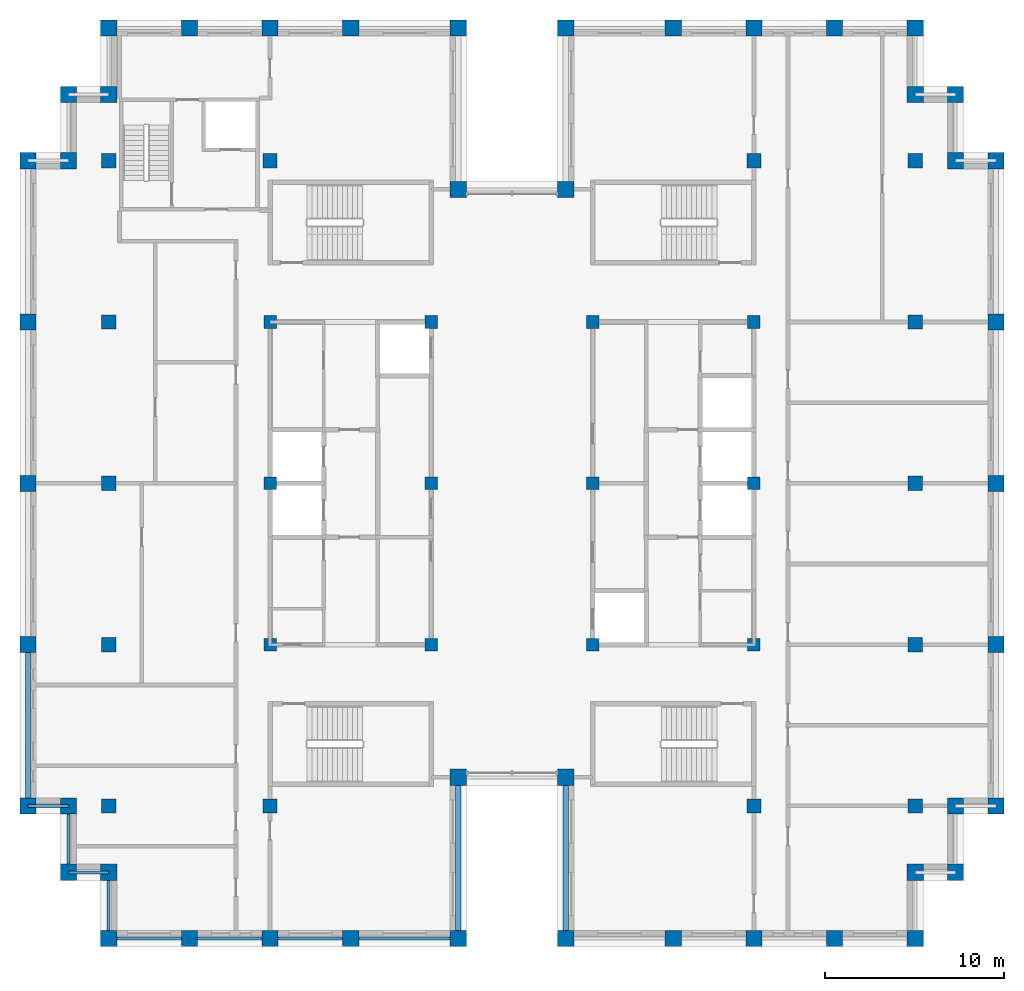
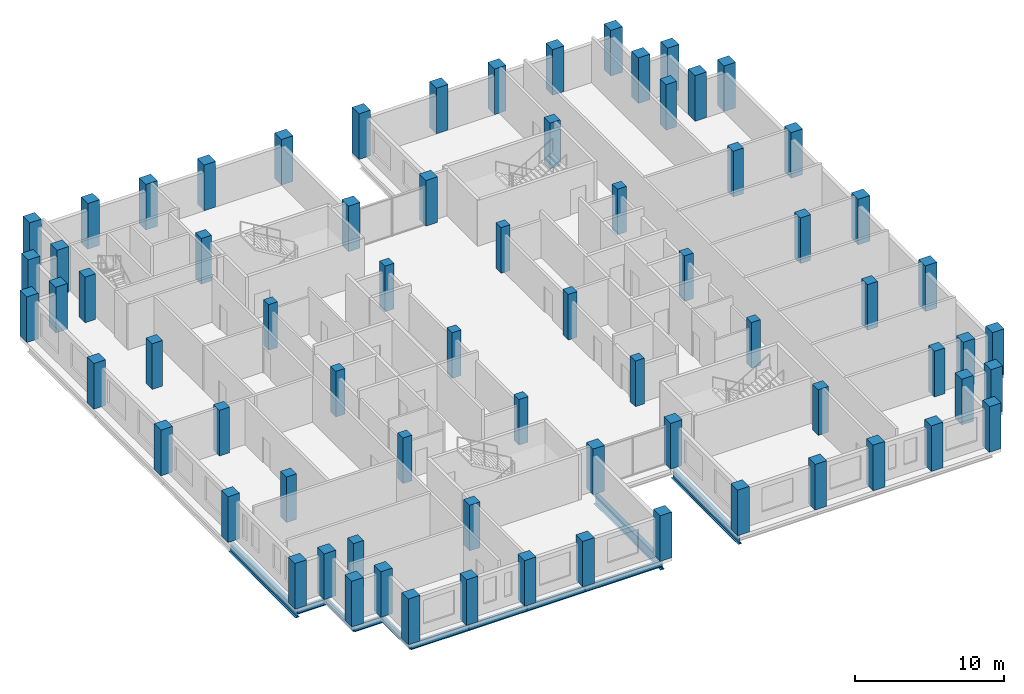
# One storey, part 1 of 13: 72 columns, 11 beams.
"""IFC4 building model written with IfcOpenShell, lengths in metres."""

from ifc_helpers import new_model, si_unit, direction, frame, origin, origin_2d, place, context, subcontext, project, spatial, rectangle, i_section, extrude, material, material_profile, profile_set, type_object, element, save


model = new_model("IFC4")

# Units and contexts
model_context = context("Model", 3, precision=1e-05, world=origin(), true_north=direction((0.0, 1.0)))
body_context = subcontext(model_context, "Body", "Model", "MODEL_VIEW")
ifc_project = project(units=[si_unit("LENGTHUNIT", "METRE"), si_unit("AREAUNIT", "SQUARE_METRE"), si_unit("VOLUMEUNIT", "CUBIC_METRE"), si_unit("PLANEANGLEUNIT", "RADIAN"), si_unit("MASSUNIT", "GRAM", prefix="KILO")], contexts=[model_context])

# Site, building, storey
site_placement = place(None, origin())
site = spatial("IfcSite", under=ifc_project, at=site_placement, CompositionType="ELEMENT")
building_placement = place(site_placement, origin())
building = spatial("IfcBuilding", under=site, at=building_placement, Name="Corbelhall Arena Tower", CompositionType="ELEMENT")
storey_placement = place(building_placement, frame((0.0, 0.0, 338.0)))
storey = spatial("IfcBuildingStorey", under=building, at=storey_placement, Name="L74", CompositionType="ELEMENT", Elevation=338.0)

# Columns
ifc_material_1 = material(Name="Concrete C80/95", Category="concrete")
ifc_material_profile_1 = material_profile(ifc_material_1, rectangle(XDim=0.699951171875, YDim=0.699951171875, at=origin_2d()))
ifc_profile_set_1 = profile_set([ifc_material_profile_1], Name="Concrete C80/95")
column_type_1 = type_object("IfcColumnType", Name="ST-COL-RC 700x700", PredefinedType="COLUMN", material=ifc_profile_set_1)
for number, where, z_axis, x_axis, name in (
    (1, (4.5, 0.0, 0.0), (0.0, 0.0, 1.0), (1.0, 0.0, 0.0), "Column KE+0450+0000"),
    (2, (4.5, 9.0, 0.0), (0.0, 0.0, 1.0), (1.0, 0.0, 0.0), "Column KE+0450+0900"),
    (3, (4.5, -9.0, 0.0), (0.0, 0.0, 1.0), (1.0, 0.0, 0.0), "Column KE+0450-0900"),
    (4, (13.5, 0.0, 0.0), (0.0, 0.0, 1.0), (1.0, 0.0, 0.0), "Column KE+1350+0000"),
    (5, (13.5, 9.0, 0.0), (0.0, 0.0, 1.0), (1.0, 0.0, 0.0), "Column KE+1350+0900"),
    (6, (13.5, -9.0, 0.0), (0.0, 0.0, 1.0), (1.0, 0.0, 0.0), "Column KE+1350-0900"),
    (7, (-4.5, 0.0, 0.0), (0.0, 0.0, 1.0), (1.0, 0.0, 0.0), "Column KW-0450+0000"),
    (8, (-4.5, 9.0, 0.0), (0.0, 0.0, 1.0), (1.0, 0.0, 0.0), "Column KW-0450+0900"),
    (9, (-4.5, -9.0, 0.0), (0.0, 0.0, 1.0), (1.0, 0.0, 0.0), "Column KW-0450-0900"),
    (10, (-13.5, 0.0, 0.0), (0.0, 0.0, 1.0), (1.0, 0.0, 0.0), "Column KW-1350+0000"),
    (11, (-13.5, 9.0, 0.0), (0.0, 0.0, 1.0), (1.0, 0.0, 0.0), "Column KW-1350+0900"),
    (12, (-13.5, -9.0, 0.0), (0.0, 0.0, 1.0), (1.0, 0.0, 0.0), "Column KW-1350-0900"),
):
    element("IfcColumn", number, at=place(storey_placement, frame(where, z_axis=z_axis, x_axis=x_axis)), inside=storey, type_object=column_type_1, Name=name, PredefinedType="COLUMN", context=body_context, shape_type="SweptSolid", body=[
        extrude(rectangle(XDim=0.699951171875, YDim=0.699951171875, at=origin_2d()), origin(), (0.0, 0.0, 1.0), 3.739990234375),
    ])
ifc_material_profile_2 = material_profile(ifc_material_1, rectangle(XDim=0.800048828125, YDim=0.800048828125, at=origin_2d()))
ifc_profile_set_2 = profile_set([ifc_material_profile_2], Name="Concrete C80/95")
column_type_2 = type_object("IfcColumnType", Name="ST-COL-RC 800x800", PredefinedType="COLUMN", material=ifc_profile_set_2)
for number, where, z_axis, x_axis, name in (
    (13, (13.5, 18.0, 0.0), (0.0, 0.0, 1.0), (1.0, 0.0, 0.0), "Column IE13+1800"),
    (14, (13.5, -18.0, 0.0), (0.0, 0.0, 1.0), (1.0, 0.0, 0.0), "Column IE13-1800"),
    (15, (22.5, 0.0, 0.0), (0.0, 0.0, 1.0), (1.0, 0.0, 0.0), "Column IE22+0000"),
    (16, (22.5, 9.0, 0.0), (0.0, 0.0, 1.0), (1.0, 0.0, 0.0), "Column IE22+0900"),
    (17, (22.5, 18.0, 0.0), (0.0, 0.0, 1.0), (1.0, 0.0, 0.0), "Column IE22+1800"),
    (18, (22.5, -9.0, 0.0), (0.0, 0.0, 1.0), (1.0, 0.0, 0.0), "Column IE22-0900"),
    (19, (22.5, -18.0, 0.0), (0.0, 0.0, 1.0), (1.0, 0.0, 0.0), "Column IE22-1800"),
    (20, (-13.5, 18.0, 0.0), (0.0, 0.0, 1.0), (1.0, 0.0, 0.0), "Column IW13+1800"),
    (21, (-13.5, -18.0, 0.0), (0.0, 0.0, 1.0), (1.0, 0.0, 0.0), "Column IW13-1800"),
    (22, (-22.5, 0.0, 0.0), (0.0, 0.0, 1.0), (1.0, 0.0, 0.0), "Column IW22+0000"),
    (23, (-22.5, 9.0, 0.0), (0.0, 0.0, 1.0), (1.0, 0.0, 0.0), "Column IW22+0900"),
    (24, (-22.5, 18.0, 0.0), (0.0, 0.0, 1.0), (1.0, 0.0, 0.0), "Column IW22+1800"),
    (25, (-22.5, -9.0, 0.0), (0.0, 0.0, 1.0), (1.0, 0.0, 0.0), "Column IW22-0900"),
    (26, (-22.5, -18.0, 0.0), (0.0, 0.0, 1.0), (1.0, 0.0, 0.0), "Column IW22-1800"),
):
    element("IfcColumn", number, at=place(storey_placement, frame(where, z_axis=z_axis, x_axis=x_axis)), inside=storey, type_object=column_type_2, Name=name, PredefinedType="COLUMN", context=body_context, shape_type="SweptSolid", body=[
        extrude(rectangle(XDim=0.800048828125, YDim=0.800048828125, at=origin_2d()), origin(), (0.0, 0.0, 1.0), 3.739990234375),
    ])
ifc_material_profile_3 = material_profile(ifc_material_1, rectangle(XDim=0.89990234375, YDim=0.89990234375, at=origin_2d()))
ifc_profile_set_3 = profile_set([ifc_material_profile_3], Name="Concrete C80/95")
column_type_3 = type_object("IfcColumnType", Name="ST-COL-RC 900x900", PredefinedType="COLUMN", material=ifc_profile_set_3)
for number, where, z_axis, x_axis, name in (
    (27, (27.0, 0.0, 0.0), (0.0, 0.0, 1.0), (0.0, 1.0, 0.0), "Column PE+0000"),
    (28, (27.0, 9.0, 0.0), (0.0, 0.0, 1.0), (0.0, 1.0, 0.0), "Column PE+0900"),
    (29, (27.0, 18.0, 0.0), (0.0, 0.0, 1.0), (0.0, 1.0, 0.0), "Column PE+1800"),
    (30, (27.0, -9.0, 0.0), (0.0, 0.0, 1.0), (0.0, 1.0, 0.0), "Column PE-0900"),
    (31, (27.0, -18.0, 0.0), (0.0, 0.0, 1.0), (0.0, 1.0, 0.0), "Column PE-1800"),
    (32, (3.0, 25.39990234375, 0.0), (0.0, 0.0, 1.0), (1.0, 0.0, 0.0), "Column PNE0300"),
    (33, (9.0, 25.39990234375, 0.0), (0.0, 0.0, 1.0), (1.0, 0.0, 0.0), "Column PNE0900"),
    (34, (13.5, 25.39990234375, 0.0), (0.0, 0.0, 1.0), (1.0, 0.0, 0.0), "Column PNE1350"),
    (35, (18.0, 25.39990234375, 0.0), (0.0, 0.0, 1.0), (1.0, 0.0, 0.0), "Column PNE1800"),
    (36, (22.5, 25.39990234375, 0.0), (0.0, 0.0, 1.0), (1.0, 0.0, 0.0), "Column PNE2250"),
    (37, (-3.0, 25.39990234375, 0.0), (0.0, 0.0, 1.0), (1.0, 0.0, 0.0), "Column PNW0300"),
    (38, (-9.0, 25.39990234375, 0.0), (0.0, 0.0, 1.0), (1.0, 0.0, 0.0), "Column PNW0900"),
    (39, (-13.5, 25.39990234375, 0.0), (0.0, 0.0, 1.0), (1.0, 0.0, 0.0), "Column PNW1350"),
    (40, (-18.0, 25.39990234375, 0.0), (0.0, 0.0, 1.0), (1.0, 0.0, 0.0), "Column PNW1800"),
    (41, (-22.5, 25.39990234375, 0.0), (0.0, 0.0, 1.0), (1.0, 0.0, 0.0), "Column PNW2250"),
    (42, (3.0, -25.39990234375, 0.0), (0.0, 0.0, 1.0), (1.0, 0.0, 0.0), "Column PSE0300"),
    (43, (9.0, -25.39990234375, 0.0), (0.0, 0.0, 1.0), (1.0, 0.0, 0.0), "Column PSE0900"),
    (44, (13.5, -25.39990234375, 0.0), (0.0, 0.0, 1.0), (1.0, 0.0, 0.0), "Column PSE1350"),
    (45, (18.0, -25.39990234375, 0.0), (0.0, 0.0, 1.0), (1.0, 0.0, 0.0), "Column PSE1800"),
    (46, (22.5, -25.39990234375, 0.0), (0.0, 0.0, 1.0), (1.0, 0.0, 0.0), "Column PSE2250"),
    (47, (-3.0, -25.39990234375, 0.0), (0.0, 0.0, 1.0), (1.0, 0.0, 0.0), "Column PSW0300"),
    (48, (-9.0, -25.39990234375, 0.0), (0.0, 0.0, 1.0), (1.0, 0.0, 0.0), "Column PSW0900"),
    (49, (-13.5, -25.39990234375, 0.0), (0.0, 0.0, 1.0), (1.0, 0.0, 0.0), "Column PSW1350"),
    (50, (-18.0, -25.39990234375, 0.0), (0.0, 0.0, 1.0), (1.0, 0.0, 0.0), "Column PSW1800"),
    (51, (-22.5, -25.39990234375, 0.0), (0.0, 0.0, 1.0), (1.0, 0.0, 0.0), "Column PSW2250"),
    (52, (-27.0, 0.0, 0.0), (0.0, 0.0, 1.0), (0.0, 1.0, 0.0), "Column PW+0000"),
    (53, (-27.0, 9.0, 0.0), (0.0, 0.0, 1.0), (0.0, 1.0, 0.0), "Column PW+0900"),
    (54, (-27.0, 18.0, 0.0), (0.0, 0.0, 1.0), (0.0, 1.0, 0.0), "Column PW+1800"),
    (55, (-27.0, -9.0, 0.0), (0.0, 0.0, 1.0), (0.0, 1.0, 0.0), "Column PW-0900"),
    (56, (-27.0, -18.0, 0.0), (0.0, 0.0, 1.0), (0.0, 1.0, 0.0), "Column PW-1800"),
    (57, (3.0, 16.39990234375, 0.0), (0.0, 0.0, 1.0), (1.0, 0.0, 0.0), "Column SLNE2"),
    (58, (-3.0, 16.39990234375, 0.0), (0.0, 0.0, 1.0), (1.0, 0.0, 0.0), "Column SLNW2"),
    (59, (3.0, -16.39990234375, 0.0), (0.0, 0.0, 1.0), (1.0, 0.0, 0.0), "Column SLSE2"),
    (60, (-3.0, -16.39990234375, 0.0), (0.0, 0.0, 1.0), (1.0, 0.0, 0.0), "Column SLSW2"),
    (61, (22.5, 21.699951171875, 0.0), (0.0, 0.0, 1.0), (1.0, 0.0, 0.0), "Column XNE1"),
    (62, (24.75, 21.699951171875, 0.0), (0.0, 0.0, 1.0), (1.0, 0.0, 0.0), "Column XNE2"),
    (63, (24.75, 18.0, 0.0), (0.0, 0.0, 1.0), (1.0, 0.0, 0.0), "Column XNE3"),
    (64, (-22.5, 21.699951171875, 0.0), (0.0, 0.0, 1.0), (1.0, 0.0, 0.0), "Column XNW1"),
    (65, (-24.75, 21.699951171875, 0.0), (0.0, 0.0, 1.0), (1.0, 0.0, 0.0), "Column XNW2"),
    (66, (-24.75, 18.0, 0.0), (0.0, 0.0, 1.0), (1.0, 0.0, 0.0), "Column XNW3"),
    (67, (22.5, -21.699951171875, 0.0), (0.0, 0.0, 1.0), (1.0, 0.0, 0.0), "Column XSE1"),
    (68, (24.75, -21.699951171875, 0.0), (0.0, 0.0, 1.0), (1.0, 0.0, 0.0), "Column XSE2"),
    (69, (24.75, -18.0, 0.0), (0.0, 0.0, 1.0), (1.0, 0.0, 0.0), "Column XSE3"),
    (70, (-22.5, -21.699951171875, 0.0), (0.0, 0.0, 1.0), (1.0, 0.0, 0.0), "Column XSW1"),
    (71, (-24.75, -21.699951171875, 0.0), (0.0, 0.0, 1.0), (1.0, 0.0, 0.0), "Column XSW2"),
    (72, (-24.75, -18.0, 0.0), (0.0, 0.0, 1.0), (1.0, 0.0, 0.0), "Column XSW3"),
):
    element("IfcColumn", number, at=place(storey_placement, frame(where, z_axis=z_axis, x_axis=x_axis)), inside=storey, type_object=column_type_3, Name=name, PredefinedType="COLUMN", context=body_context, shape_type="SweptSolid", body=[
        extrude(rectangle(XDim=0.89990234375, YDim=0.89990234375, at=origin_2d()), origin(), (0.0, 0.0, 1.0), 3.739990234375),
    ])

# Beams
ifc_material_2 = material(Name="Steel ASTM A992 Gr50", Category="steel")
ifc_material_profile_4 = material_profile(ifc_material_2, i_section(OverallWidth=0.16650390625, OverallDepth=0.535888671875, WebThickness=0.01025390625, FlangeThickness=0.0166015625, at=origin_2d()))
ifc_profile_set_4 = profile_set([ifc_material_profile_4], Name="Steel ASTM A992 Gr50")
beam_type_1 = type_object("IfcBeamType", Name="ST-SPANDREL-W21x57", PredefinedType="SPANDREL", material=ifc_profile_set_4)
beam_1_placement = place(storey_placement, frame((-3.0, -25.39990234375, -0.528076171875), z_axis=(-1.0, 0.0, 0.0), x_axis=(0.0, -1.0, 0.0)))
element("IfcBeam", 73, at=beam_1_placement, inside=storey, type_object=beam_type_1, Name="Beam SP 21", PredefinedType="SPANDREL", context=body_context, shape_type="SweptSolid", body=[
    extrude(i_section(OverallWidth=0.16650390625, OverallDepth=0.535888671875, WebThickness=0.01025390625, FlangeThickness=0.0166015625, at=origin_2d()), origin(), (0.0, 0.0, 1.0), 6.0),
])
for number, where, z_axis, x_axis, name in (
    (74, (-9.0, -25.39990234375, -0.528076171875), (-1.0, 0.0, 0.0), (0.0, -1.0, 0.0), "Beam SP 22"),
    (75, (-13.5, -25.39990234375, -0.528076171875), (-1.0, 0.0, 0.0), (0.0, -1.0, 0.0), "Beam SP 23"),
    (76, (-18.0, -25.39990234375, -0.528076171875), (-1.0, 0.0, 0.0), (0.0, -1.0, 0.0), "Beam SP 24"),
):
    element("IfcBeam", number, at=place(storey_placement, frame(where, z_axis=z_axis, x_axis=x_axis)), inside=storey, type_object=beam_type_1, Name=name, PredefinedType="SPANDREL", context=body_context, shape_type="SweptSolid", body=[
        extrude(i_section(OverallWidth=0.16650390625, OverallDepth=0.535888671875, WebThickness=0.01025390625, FlangeThickness=0.0166015625, at=origin_2d()), origin(), (0.0, 0.0, 1.0), 4.5),
    ])
beam_2_placement = place(storey_placement, frame((-22.5, -25.39990234375, -0.528076171875), z_axis=(0.0, 1.0, 0.0), x_axis=(-1.0, 0.0, 0.0)))
element("IfcBeam", 77, at=beam_2_placement, inside=storey, type_object=beam_type_1, Name="Beam SP 25", PredefinedType="SPANDREL", context=body_context, shape_type="SweptSolid", body=[
    extrude(i_section(OverallWidth=0.16650390625, OverallDepth=0.535888671875, WebThickness=0.01025390625, FlangeThickness=0.0166015625, at=origin_2d()), origin(), (0.0, 0.0, 1.0), 3.699951171875),
])
beam_3_placement = place(storey_placement, frame((-22.5, -21.699951171875, -0.528076171875), z_axis=(-1.0, 0.0, 0.0), x_axis=(0.0, -1.0, 0.0)))
element("IfcBeam", 78, at=beam_3_placement, inside=storey, type_object=beam_type_1, Name="Beam SP 44", PredefinedType="SPANDREL", context=body_context, shape_type="SweptSolid", body=[
    extrude(i_section(OverallWidth=0.16650390625, OverallDepth=0.535888671875, WebThickness=0.01025390625, FlangeThickness=0.0166015625, at=origin_2d()), origin(), (0.0, 0.0, 1.0), 2.25),
])
beam_4_placement = place(storey_placement, frame((-24.75, -21.699951171875, -0.528076171875), z_axis=(0.0, 1.0, 0.0), x_axis=(-1.0, 0.0, 0.0)))
element("IfcBeam", 79, at=beam_4_placement, inside=storey, type_object=beam_type_1, Name="Beam SP 45", PredefinedType="SPANDREL", context=body_context, shape_type="SweptSolid", body=[
    extrude(i_section(OverallWidth=0.16650390625, OverallDepth=0.535888671875, WebThickness=0.01025390625, FlangeThickness=0.0166015625, at=origin_2d()), origin(), (0.0, 0.0, 1.0), 3.699951171875),
])
beam_5_placement = place(storey_placement, frame((-24.75, -18.0, -0.528076171875), z_axis=(-1.0, 0.0, 0.0), x_axis=(0.0, -1.0, 0.0)))
element("IfcBeam", 80, at=beam_5_placement, inside=storey, type_object=beam_type_1, Name="Beam SP 46", PredefinedType="SPANDREL", context=body_context, shape_type="SweptSolid", body=[
    extrude(i_section(OverallWidth=0.16650390625, OverallDepth=0.535888671875, WebThickness=0.01025390625, FlangeThickness=0.0166015625, at=origin_2d()), origin(), (0.0, 0.0, 1.0), 2.25),
])
ifc_material_profile_5 = material_profile(ifc_material_2, i_section(OverallWidth=0.2919921875, OverallDepth=0.845703125, WebThickness=0.015380859375, FlangeThickness=0.0244140625, at=origin_2d()))
ifc_profile_set_5 = profile_set([ifc_material_profile_5], Name="Steel ASTM A992 Gr50")
beam_type_2 = type_object("IfcBeamType", Name="ST-SPANDREL-W33x141", PredefinedType="SPANDREL", material=ifc_profile_set_5)
for number, where, z_axis, x_axis, name in (
    (81, (3.0, -25.39990234375, -0.682861328125), (0.0, 1.0, 0.0), (-1.0, 0.0, 0.0), "Beam SP 16"),
    (82, (-27.0, -18.0, -0.682861328125), (0.0, 1.0, 0.0), (-1.0, 0.0, 0.0), "Beam SP 30"),
    (83, (-3.0, -16.39990234375, -0.682861328125), (0.0, -1.0, 0.0), (1.0, 0.0, 0.0), "Beam SP 34"),
):
    element("IfcBeam", number, at=place(storey_placement, frame(where, z_axis=z_axis, x_axis=x_axis)), inside=storey, type_object=beam_type_2, Name=name, PredefinedType="SPANDREL", context=body_context, shape_type="SweptSolid", body=[
        extrude(i_section(OverallWidth=0.2919921875, OverallDepth=0.845703125, WebThickness=0.015380859375, FlangeThickness=0.0244140625, at=origin_2d()), origin(), (0.0, 0.0, 1.0), 9.0),
    ])

save(model, "model.ifc")
